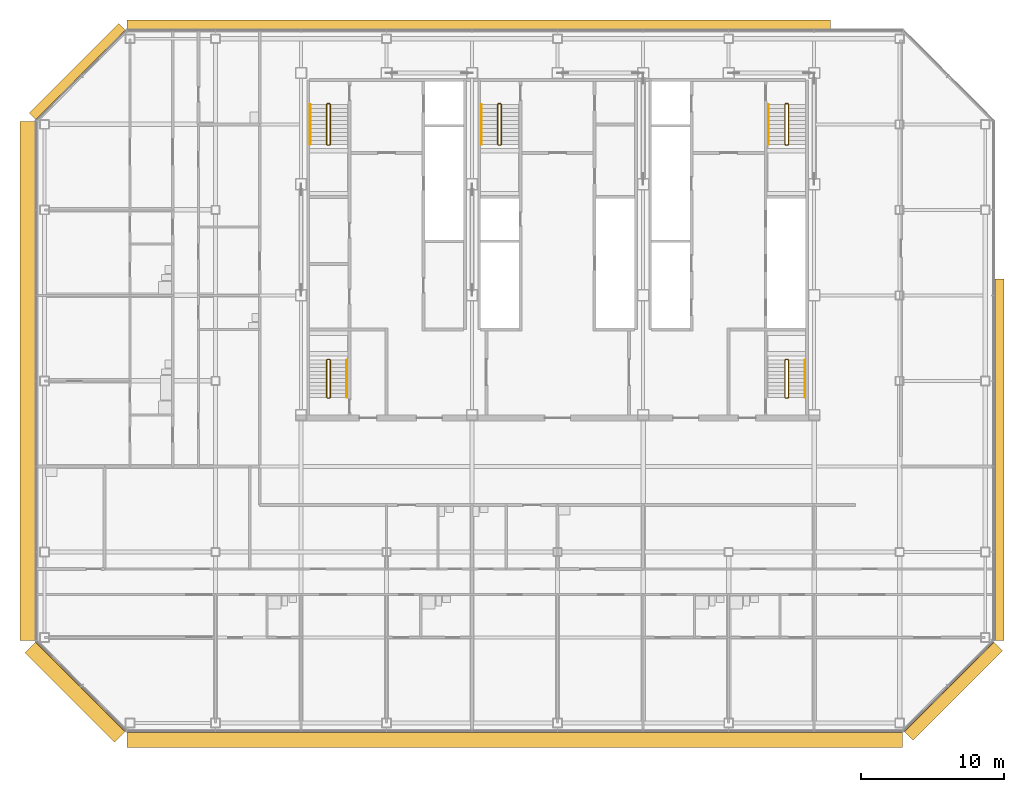
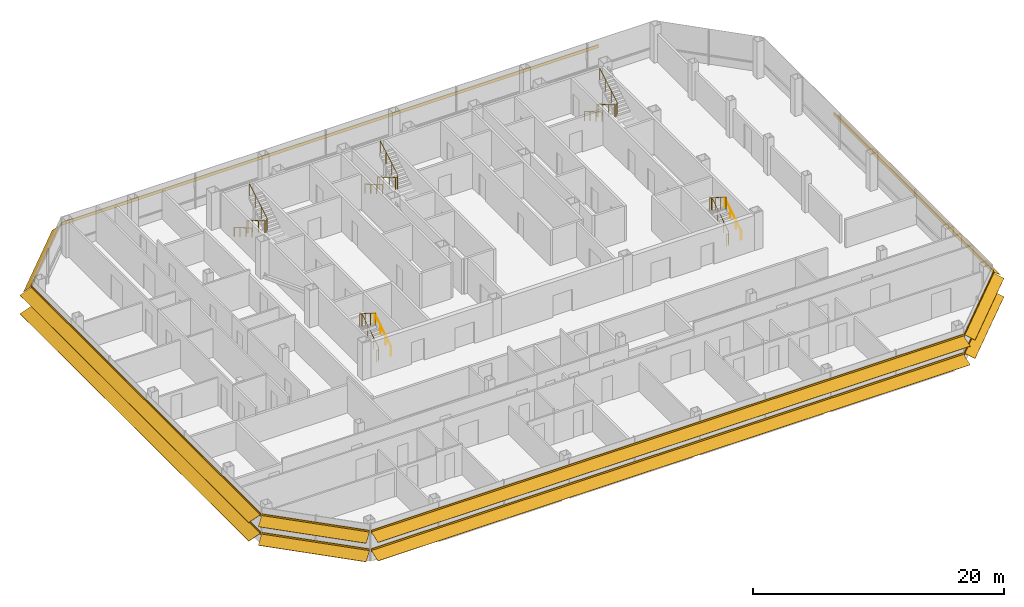
# One storey, part 26 of 27: 10 railings, 7 shading devices.
"""IFC4 building model written with IfcOpenShell, lengths in metres."""

import ifcopenshell
import ifcopenshell.guid

model = None  # the IFC model being written
_history = None  # IfcOwnerHistory: only IFC2X3 demands one
_inside = {}  # id of a spatial element -> (the spatial element, [elements in it])
_under = {}  # id of a project, library or spatial element -> (it, [spatial elements below it])
_declared = {}  # id of a project -> (the project, [libraries it declares])
_typed = {}  # id of a type object -> (the type object, [elements of that type])
_made_of = {}  # id of a material, layer set ... -> (it, [elements and type objects made of it])


def new_model(schema):
    """Start an empty IFC model of exactly this schema.

    Asked for "IFC4X3", IfcOpenShell would pick the latest addendum, in which some entities
    have other attributes; the version numbers below select the first issue.
    IFC2X3 requires an IfcOwnerHistory on every rooted entity: one is made here for all.
    """
    global model, _history
    if schema == "IFC4X3":
        model = ifcopenshell.file(schema_version=(4, 3, 0, 0))
    else:
        model = ifcopenshell.file(schema=schema)
    _inside.clear()
    _under.clear()
    _declared.clear()
    _typed.clear()
    _made_of.clear()
    _history = None
    if model.schema == "IFC2X3":
        org = make("IfcOrganization", Name="unknown")
        user = make(
            "IfcPersonAndOrganization",
            ThePerson=make("IfcPerson", FamilyName="unknown"),
            TheOrganization=org,
        )
        app = make(
            "IfcApplication",
            ApplicationDeveloper=org,
            Version="unknown",
            ApplicationFullName="unknown",
            ApplicationIdentifier="unknown",
        )
        _history = make(
            "IfcOwnerHistory",
            OwningUser=user,
            OwningApplication=app,
            ChangeAction="ADDED",
            CreationDate=0,
        )
    return model


def make(cls, **values):
    """One entity of the class cls with the attributes given. An attribute that is None is left unset."""
    return model.create_entity(
        cls, **{name: value for name, value in values.items() if value is not None}
    )


def rooted(cls, **values):
    """An entity with a GlobalId (a new one), such as an element, a storey or a relation."""
    return make(cls, GlobalId=ifcopenshell.guid.new(), OwnerHistory=_history, **values)


def si_unit(unit_type, name, prefix=None):
    """IfcSIUnit, for example si_unit("LENGTHUNIT", "METRE", prefix="MILLI")."""
    return make("IfcSIUnit", UnitType=unit_type, Prefix=prefix, Name=name)


def assignment(units):
    """IfcUnitAssignment: the units of a project."""
    return None if units is None else make("IfcUnitAssignment", Units=units)


def point(xyz):
    """IfcCartesianPoint."""
    return None if xyz is None else make("IfcCartesianPoint", Coordinates=xyz)


def direction(xyz):
    """IfcDirection."""
    return None if xyz is None else make("IfcDirection", DirectionRatios=xyz)


def frame(location, z_axis=None, x_axis=None):
    """IfcAxis2Placement3D, a coordinate frame: its origin and axes. An axis left out is left unset."""
    return make(
        "IfcAxis2Placement3D",
        Location=point(location),
        Axis=direction(z_axis),
        RefDirection=direction(x_axis),
    )


def frame_2d(location, x_axis=None):
    """IfcAxis2Placement2D, a coordinate frame in the plane: its origin and x axis."""
    return make(
        "IfcAxis2Placement2D", Location=point(location), RefDirection=direction(x_axis)
    )


def origin():
    """The frame at (0, 0, 0) with its axes left unset."""
    return frame((0.0, 0.0, 0.0))


def origin_2d():
    """The frame at (0, 0) in the plane with its x axis left unset."""
    return frame_2d((0.0, 0.0))


def place(relative_to, where):
    """IfcLocalPlacement: puts the frame where relative to a parent placement (None: the world)."""
    return make(
        "IfcLocalPlacement", PlacementRelTo=relative_to, RelativePlacement=where
    )


def context(
    kind, dimensions, precision=None, world=None, true_north=None, identifier=None
):
    """IfcGeometricRepresentationContext, for example the 3D "Model" context."""
    return make(
        "IfcGeometricRepresentationContext",
        ContextIdentifier=identifier,
        ContextType=kind,
        CoordinateSpaceDimension=dimensions,
        Precision=precision,
        WorldCoordinateSystem=world,
        TrueNorth=true_north,
    )


def subcontext(parent, identifier, kind, view, scale=None):
    """IfcGeometricRepresentationSubContext, for example "Body" below "Model"."""
    return make(
        "IfcGeometricRepresentationSubContext",
        ContextIdentifier=identifier,
        ContextType=kind,
        ParentContext=parent,
        TargetScale=scale,
        TargetView=view,
    )


def project(units=None, contexts=None):
    """IfcProject with its units and contexts."""
    return rooted(
        "IfcProject",
        Name="project",
        RepresentationContexts=contexts,
        UnitsInContext=assignment(units),
    )


def spatial(cls, under=None, at=None, **own):
    """A site, building, storey or space (cls), placed at a placement, below another one or the project."""
    s = rooted(cls, ObjectPlacement=at, **own)
    if under is not None:
        _under.setdefault(under.id(), (under, []))[1].append(s)
    return s


def polyline(points):
    """IfcPolyline through the points."""
    return make("IfcPolyline", Points=[point(p) for p in points])


def profile(cls, at=None, kind="AREA", **sizes):
    """A parametric profile (cls). Its sizes go by their IFC names, for example OverallWidth=200.0."""
    return make(cls, ProfileType=kind, Position=at, **sizes)


def circle(**sizes):
    """IfcCircleProfileDef."""
    return profile("IfcCircleProfileDef", **sizes)


def outline(outer, holes=None, kind="AREA"):
    """IfcArbitraryClosedProfileDef: a profile drawn as a closed curve; with holes, ...WithVoids."""
    if holes is None:
        return make("IfcArbitraryClosedProfileDef", ProfileType=kind, OuterCurve=outer)
    return make(
        "IfcArbitraryProfileDefWithVoids",
        ProfileType=kind,
        OuterCurve=outer,
        InnerCurves=holes,
    )


def composite_profile(profiles, kind="AREA"):
    """IfcCompositeProfileDef: several profiles as one."""
    return make("IfcCompositeProfileDef", ProfileType=kind, Profiles=profiles)


def extrude(swept, where, along, depth):
    """IfcExtrudedAreaSolid: the profile swept, set in the frame where, extruded along a direction by depth."""
    return make(
        "IfcExtrudedAreaSolid",
        SweptArea=swept,
        Position=where,
        ExtrudedDirection=direction(along),
        Depth=depth,
    )


def shape(context_of_items, identifier, shape_type, items):
    """IfcShapeRepresentation: the items that make up one representation, for example the "Body"."""
    return make(
        "IfcShapeRepresentation",
        ContextOfItems=context_of_items,
        RepresentationIdentifier=identifier,
        RepresentationType=shape_type,
        Items=items,
    )


def material(Name=None, Category=None):
    """IfcMaterial."""
    return make("IfcMaterial", Name=Name, Category=Category)


def made_of(thing, what):
    """Note that an element or type object is made of a material, layer set ...; save() writes the relation."""
    if what is not None:
        _made_of.setdefault(what.id(), (what, []))[1].append(thing)
    return thing


def type_object(cls, material=None, **own):
    """A type object (cls), such as IfcWallType, which elements share."""
    return made_of(rooted(cls, **own), material)


def element(
    cls,
    number,
    at=None,
    inside=None,
    cuts=None,
    type_object=None,
    material=None,
    context=None,
    identifier="Body",
    shape_type=None,
    held_by="IfcProductDefinitionShape",
    body=None,
    shapes=None,
    **own,
):
    """One element of the class cls, such as IfcWall. Its Tag is "e" and its number.

    at: its placement. inside: the storey or other place that contains it. cuts: it is an
    opening in that element (IfcRelVoidsElement). A single representation is given by context,
    identifier, shape_type and body (its items); several are given by shapes. held_by: the class
    of the entity that holds the representations. save() writes the other relations.
    """
    e = rooted(cls, Tag="e%d" % number, ObjectPlacement=at, **own)
    if body is not None:
        shapes = [shape(context, identifier, shape_type, body)]
    if shapes is not None:
        e.Representation = make(held_by, Representations=shapes)
    if inside is not None:
        _inside.setdefault(inside.id(), (inside, []))[1].append(e)
    if cuts is not None:
        rooted(
            "IfcRelVoidsElement", RelatingBuildingElement=cuts, RelatedOpeningElement=e
        )
    if type_object is not None:
        _typed.setdefault(type_object.id(), (type_object, []))[1].append(e)
    return made_of(e, material)


def aggregate(whole, parts):
    """IfcRelAggregates: a whole, such as a stair, and the parts it consists of."""
    return rooted("IfcRelAggregates", RelatingObject=whole, RelatedObjects=parts)


def save(model, path):
    """Write the relations noted so far, then the file.

    IfcRelAggregates (storeys below a building ...), IfcRelContainedInSpatialStructure (elements
    in a storey), IfcRelDefinesByType, IfcRelAssociatesMaterial and IfcRelDeclares: one each for
    every whole, place, type object, material and project.
    """
    for whole, parts in _under.values():
        aggregate(whole, parts)
    for where, things in _inside.values():
        rooted(
            "IfcRelContainedInSpatialStructure",
            RelatedElements=things,
            RelatingStructure=where,
        )
    for kind, things in _typed.values():
        rooted("IfcRelDefinesByType", RelatedObjects=things, RelatingType=kind)
    for what, things in _made_of.values():
        rooted("IfcRelAssociatesMaterial", RelatedObjects=things, RelatingMaterial=what)
    for by, libraries in _declared.values():
        rooted("IfcRelDeclares", RelatingContext=by, RelatedDefinitions=libraries)
    model.write(path)


model = new_model("IFC4")

# Units and contexts
model_context = context("Model", 3, precision=1e-05, world=origin(), true_north=direction((0.0, 1.0)))
body_context = subcontext(model_context, "Body", "Model", "MODEL_VIEW")
ifc_project = project(units=[si_unit("LENGTHUNIT", "METRE"), si_unit("AREAUNIT", "SQUARE_METRE"), si_unit("VOLUMEUNIT", "CUBIC_METRE"), si_unit("PLANEANGLEUNIT", "RADIAN"), si_unit("MASSUNIT", "GRAM", prefix="KILO")], contexts=[model_context])

# Site, building, storey
site_placement = place(None, origin())
site = spatial("IfcSite", under=ifc_project, at=site_placement, CompositionType="ELEMENT")
building_placement = place(site_placement, origin())
building = spatial("IfcBuilding", under=site, at=building_placement, Name="Sorahane Residences", CompositionType="ELEMENT")
storey_placement = place(building_placement, frame((0.0, 0.0, 202.800048828125)))
storey = spatial("IfcBuildingStorey", under=building, at=storey_placement, Name="L47", CompositionType="ELEMENT", Elevation=202.800048828125)

# Shading devices
ifc_material_1 = material(Name="Terracotta anodised aluminium", Category="masonry")
shading_device_type_1 = type_object("IfcShadingDeviceType", Name="Louvre sunshade blade E terracotta aluminium 700", PredefinedType="JALOUSIE", material=ifc_material_1)
shading_device_1_placement = place(storey_placement, frame((54.60009765625, 5.801513671875, 2.699951171875), z_axis=(0.0, 1.0, 0.0), x_axis=(-1.0, 0.0, 0.0)))
element("IfcShadingDevice", 1, at=shading_device_1_placement, inside=storey, type_object=shading_device_type_1, Name="Louvre sunshade blade bank E L47 E1", PredefinedType="JALOUSIE", context=body_context, shape_type="SweptSolid", body=[
    extrude(outline(polyline([(-0.719970703125, -0.49365234375), (-0.719970703125, -0.523681640625), (-0.080078125, -0.05859375), (-0.080078125, -0.14990234375), (-0.02001953125, -0.14990234375), (-0.02001953125, -0.014892578125), (-0.02001953125, 0.014892578125), (-0.02001953125, 0.14990234375), (-0.080078125, 0.14990234375), (-0.080078125, -0.028564453125), (-0.719970703125, -0.49365234375)])), origin(), (0.0, 0.0, 1.0), 25.3291015625),
])
ifc_material_2 = material(Name="Terracotta anodised aluminium", Category="masonry")
shading_device_type_2 = type_object("IfcShadingDeviceType", Name="Louvre sunshade blade N terracotta aluminium 700", PredefinedType="JALOUSIE", material=ifc_material_2)
shading_device_2_placement = place(storey_placement, frame((43.130615234375, 48.60009765625, 2.699951171875), z_axis=(-1.0, 0.0, 0.0), x_axis=(0.0, -1.0, 0.0)))
element("IfcShadingDevice", 2, at=shading_device_2_placement, inside=storey, type_object=shading_device_type_2, Name="Louvre sunshade blade bank N L47 N1", PredefinedType="JALOUSIE", context=body_context, shape_type="SweptSolid", body=[
    extrude(outline(polyline([(-0.719970703125, -0.660888671875), (-0.719970703125, -0.69091796875), (-0.080078125, -0.072998046875), (-0.080078125, -0.14990234375), (-0.02001953125, -0.14990234375), (-0.02001953125, -0.014892578125), (-0.02001953125, 0.014892578125), (-0.02001953125, 0.14990234375), (-0.080078125, 0.14990234375), (-0.080078125, -0.04296875), (-0.719970703125, -0.660888671875)])), origin(), (0.0, 0.0, 1.0), 49.3291015625),
])
ifc_material_3 = material(Name="Terracotta anodised aluminium", Category="masonry")
shading_device_type_3 = type_object("IfcShadingDeviceType", Name="Louvre sunshade blade NW terracotta aluminium 700", PredefinedType="JALOUSIE", material=ifc_material_3)
shading_device_3_placement = place(storey_placement, frame((-6.283935546875, 48.564697265625, 2.699951171875), z_axis=(-0.707106781187, -0.707106781187, 0.0), x_axis=(0.707106781187, -0.707106781187, 0.0)))
element("IfcShadingDevice", 3, at=shading_device_3_placement, inside=storey, type_object=shading_device_type_3, Name="Louvre sunshade blade bank NW L47 NW1", PredefinedType="JALOUSIE", context=body_context, shape_type="SweptSolid", body=[
    extrude(outline(polyline([(-0.719970703125, -0.660888671875), (-0.719970703125, -0.69091796875), (-0.080078125, -0.072998046875), (-0.080078125, -0.14990234375), (-0.02001953125, -0.14990234375), (-0.02001953125, -0.014892578125), (-0.02001953125, 0.014892578125), (-0.02001953125, 0.14990234375), (-0.080078125, 0.14990234375), (-0.080078125, -0.04296875), (-0.719970703125, -0.660888671875)])), origin(), (0.0, 0.0, 1.0), 8.88232421875),
])
ifc_material_4 = material(Name="Terracotta anodised aluminium", Category="masonry")
shading_device_type_4 = type_object("IfcShadingDeviceType", Name="Louvre sunshade blade S terracotta aluminium 1100", PredefinedType="JALOUSIE", material=ifc_material_4)
shading_device_4_placement = place(storey_placement, frame((-6.198486328125, -0.60009765625, 0.89990234375), z_axis=(1.0, 0.0, 0.0), x_axis=(0.0, 1.0, 0.0)))
element("IfcShadingDevice", 4, at=shading_device_4_placement, inside=storey, type_object=shading_device_type_4, Name="Louvre sunshade blade bank S L47 S1", PredefinedType="JALOUSIE", context=body_context, shape_type="SweptSolid", body=[
    extrude(composite_profile([outline(polyline([(-1.1201171875, -0.385498046875), (-1.1201171875, -0.415283203125), (-0.080078125, -0.036865234375), (-0.080078125, -0.14990234375), (-0.02001953125, -0.14990234375), (-0.02001953125, -0.014892578125), (-0.02001953125, 0.014892578125), (-0.02001953125, 0.14990234375), (-0.080078125, 0.14990234375), (-0.080078125, -0.0068359375), (-1.1201171875, -0.385498046875)])), outline(polyline([(-1.1201171875, 1.41455078125), (-1.1201171875, 1.384521484375), (-0.080078125, 1.76318359375), (-0.080078125, 1.64990234375), (-0.02001953125, 1.64990234375), (-0.02001953125, 1.784912109375), (-0.02001953125, 1.81494140625), (-0.02001953125, 1.949951171875), (-0.080078125, 1.949951171875), (-0.080078125, 1.793212890625), (-1.1201171875, 1.41455078125)]))]), origin(), (0.0, 0.0, 1.0), 54.39697265625),
])
ifc_material_5 = material(Name="Terracotta anodised aluminium", Category="masonry")
shading_device_type_5 = type_object("IfcShadingDeviceType", Name="Louvre sunshade blade SE terracotta aluminium 900", PredefinedType="JALOUSIE", material=ifc_material_5)
shading_device_5_placement = place(storey_placement, frame((48.283935546875, -0.564697265625, 0.89990234375), z_axis=(0.707106781187, 0.707106781187, 0.0), x_axis=(-0.707106781187, 0.707106781187, 0.0)))
element("IfcShadingDevice", 5, at=shading_device_5_placement, inside=storey, type_object=shading_device_type_5, Name="Louvre sunshade blade bank SE L47 SE1", PredefinedType="JALOUSIE", context=body_context, shape_type="SweptSolid", body=[
    extrude(composite_profile([outline(polyline([(-0.919921875, -0.3486328125), (-0.919921875, -0.378662109375), (-0.080078125, -0.039306640625), (-0.080078125, -0.14990234375), (-0.02001953125, -0.14990234375), (-0.02001953125, -0.014892578125), (-0.02001953125, 0.014892578125), (-0.02001953125, 0.14990234375), (-0.080078125, 0.14990234375), (-0.080078125, -0.00927734375), (-0.919921875, -0.3486328125)])), outline(polyline([(-0.919921875, 1.451416015625), (-0.919921875, 1.42138671875), (-0.080078125, 1.7607421875), (-0.080078125, 1.64990234375), (-0.02001953125, 1.64990234375), (-0.02001953125, 1.784912109375), (-0.02001953125, 1.81494140625), (-0.02001953125, 1.949951171875), (-0.080078125, 1.949951171875), (-0.080078125, 1.790771484375), (-0.919921875, 1.451416015625)]))]), origin(), (0.0, 0.0, 1.0), 8.88232421875),
])
ifc_material_6 = material(Name="Terracotta anodised aluminium", Category="masonry")
shading_device_type_6 = type_object("IfcShadingDeviceType", Name="Louvre sunshade blade SW terracotta aluminium 1100", PredefinedType="JALOUSIE", material=ifc_material_6)
shading_device_6_placement = place(storey_placement, frame((-12.564697265625, 5.716064453125, 0.89990234375), z_axis=(0.707106781187, -0.707106781187, 0.0), x_axis=(0.707106781187, 0.707106781187, 0.0)))
element("IfcShadingDevice", 6, at=shading_device_6_placement, inside=storey, type_object=shading_device_type_6, Name="Louvre sunshade blade bank SW L47 SW1", PredefinedType="JALOUSIE", context=body_context, shape_type="SweptSolid", body=[
    extrude(composite_profile([outline(polyline([(-1.1201171875, -0.385498046875), (-1.1201171875, -0.415283203125), (-0.080078125, -0.036865234375), (-0.080078125, -0.14990234375), (-0.02001953125, -0.14990234375), (-0.02001953125, -0.014892578125), (-0.02001953125, 0.014892578125), (-0.02001953125, 0.14990234375), (-0.080078125, 0.14990234375), (-0.080078125, -0.0068359375), (-1.1201171875, -0.385498046875)])), outline(polyline([(-1.1201171875, 1.41455078125), (-1.1201171875, 1.384521484375), (-0.080078125, 1.76318359375), (-0.080078125, 1.64990234375), (-0.02001953125, 1.64990234375), (-0.02001953125, 1.784912109375), (-0.02001953125, 1.81494140625), (-0.02001953125, 1.949951171875), (-0.080078125, 1.949951171875), (-0.080078125, 1.793212890625), (-1.1201171875, 1.41455078125)]))]), origin(), (0.0, 0.0, 1.0), 8.88232421875),
])
ifc_material_7 = material(Name="Terracotta anodised aluminium", Category="masonry")
shading_device_type_7 = type_object("IfcShadingDeviceType", Name="Louvre sunshade blade W terracotta aluminium 1100", PredefinedType="JALOUSIE", material=ifc_material_7)
shading_device_7_placement = place(storey_placement, frame((-12.60009765625, 42.198486328125, 0.89990234375), z_axis=(0.0, -1.0, 0.0), x_axis=(1.0, 0.0, 0.0)))
element("IfcShadingDevice", 7, at=shading_device_7_placement, inside=storey, type_object=shading_device_type_7, Name="Louvre sunshade blade bank W L47 W1", PredefinedType="JALOUSIE", context=body_context, shape_type="SweptSolid", body=[
    extrude(composite_profile([outline(polyline([(-1.1201171875, -0.385498046875), (-1.1201171875, -0.415283203125), (-0.080078125, -0.036865234375), (-0.080078125, -0.14990234375), (-0.02001953125, -0.14990234375), (-0.02001953125, -0.014892578125), (-0.02001953125, 0.014892578125), (-0.02001953125, 0.14990234375), (-0.080078125, 0.14990234375), (-0.080078125, -0.0068359375), (-1.1201171875, -0.385498046875)])), outline(polyline([(-1.1201171875, 1.41455078125), (-1.1201171875, 1.384521484375), (-0.080078125, 1.76318359375), (-0.080078125, 1.64990234375), (-0.02001953125, 1.64990234375), (-0.02001953125, 1.784912109375), (-0.02001953125, 1.81494140625), (-0.02001953125, 1.949951171875), (-0.080078125, 1.949951171875), (-0.080078125, 1.793212890625), (-1.1201171875, 1.41455078125)]))]), origin(), (0.0, 0.0, 1.0), 36.39697265625),
])

# Railings
ifc_material_8 = material(Name="Steel Q355B", Category="steel")
railing_type_1 = type_object("IfcRailingType", Name="Stair guard 1200 Steel Q355B", PredefinedType="GUARDRAIL", material=ifc_material_8)
railing_1_placement = place(storey_placement, frame((8.0, 43.449951171875, 0.0)))
element("IfcRailing", 8, at=railing_1_placement, inside=storey, type_object=railing_type_1, Name="L47 S1 stair guard 1", PredefinedType="GUARDRAIL", context=body_context, shape_type="SweptSolid", body=[
    extrude(circle(Radius=0.02392578125, at=origin_2d()), frame((0.0, 0.0, 1.17578125), z_axis=(-1.0, 0.0, 0.0), x_axis=(0.0, -1.0, 0.0)), (0.0, 0.0, 1.0), 0.14990234375),
    extrude(circle(Radius=0.02392578125, at=origin_2d()), frame((-0.14990234375, 0.0, 1.17578125), z_axis=(-0.280808744504, -0.280808744504, 0.917765164963), x_axis=(0.707106781187, -0.707106781187, 0.0)), (0.0, 0.0, 1.0), 0.17822265625),
    extrude(circle(Radius=0.02392578125, at=origin_2d()), frame((-0.199951171875, -0.050048828125, 1.33935546875), z_axis=(0.0, -0.863341702679, 0.504619762213), x_axis=(1.0, 0.0, 0.0)), (0.0, 0.0, 1.0), 3.242919921875),
    extrude(circle(Radius=0.02392578125, at=origin_2d()), frame((-0.199951171875, -2.849853515625, 2.97607421875), z_axis=(0.707106781187, -0.707106781187, 0.0), x_axis=(0.707106781187, 0.707106781187, 0.0)), (0.0, 0.0, 1.0), 0.07080078125),
    extrude(circle(Radius=0.02392578125, at=origin_2d()), frame((-0.14990234375, -2.89990234375, 2.97607421875), z_axis=(1.0, 0.0, 0.0), x_axis=(0.0, 1.0, 0.0)), (0.0, 0.0, 1.0), 0.14990234375),
    extrude(circle(Radius=0.02392578125, at=origin_2d()), frame((0.0, -2.89990234375, 2.97607421875), z_axis=(0.280808744504, 0.280808744504, 0.917765164963), x_axis=(-0.707106781187, 0.707106781187, 0.0)), (0.0, 0.0, 1.0), 0.17822265625),
    extrude(circle(Radius=0.02392578125, at=origin_2d()), frame((0.050048828125, -2.849853515625, 3.1396484375), z_axis=(0.0, 0.863374499697, 0.504563646405), x_axis=(-1.0, 0.0, 0.0)), (0.0, 0.0, 1.0), 3.242919921875),
    extrude(circle(Radius=0.02099609375, at=origin_2d()), origin(), (0.0, 0.0, 1.0), 1.15185546875),
    extrude(circle(Radius=0.02099609375, at=origin_2d()), frame((-0.14990234375, 0.0, 0.0)), (0.0, 0.0, 1.0), 1.15185546875),
    extrude(circle(Radius=0.02099609375, at=origin_2d()), frame((-0.199951171875, -0.050048828125, 0.16357421875)), (0.0, 0.0, 1.0), 1.15185546875),
    extrude(circle(Radius=0.02099609375, at=origin_2d()), frame((-0.199951171875, -0.9833984375, 0.708984375)), (0.0, 0.0, 1.0), 1.15185546875),
    extrude(circle(Radius=0.02099609375, at=origin_2d()), frame((-0.199951171875, -1.91650390625, 1.254638671875)), (0.0, 0.0, 1.0), 1.15185546875),
    extrude(circle(Radius=0.02099609375, at=origin_2d()), frame((-0.199951171875, -2.849853515625, 1.800048828125)), (0.0, 0.0, 1.0), 1.15185546875),
    extrude(circle(Radius=0.02099609375, at=origin_2d()), frame((-0.14990234375, -2.89990234375, 1.800048828125)), (0.0, 0.0, 1.0), 1.15185546875),
    extrude(circle(Radius=0.02099609375, at=origin_2d()), frame((0.0, -2.89990234375, 1.800048828125)), (0.0, 0.0, 1.0), 1.15185546875),
    extrude(circle(Radius=0.02099609375, at=origin_2d()), frame((0.050048828125, -2.849853515625, 1.963623046875)), (0.0, 0.0, 1.0), 1.15185546875),
    extrude(circle(Radius=0.02099609375, at=origin_2d()), frame((0.050048828125, -1.91650390625, 2.509033203125)), (0.0, 0.0, 1.0), 1.15185546875),
    extrude(circle(Radius=0.02099609375, at=origin_2d()), frame((0.050048828125, -0.9833984375, 3.054443359375)), (0.0, 0.0, 1.0), 1.15185546875),
    extrude(circle(Radius=0.02099609375, at=origin_2d()), frame((0.050048828125, -0.050048828125, 3.599853515625)), (0.0, 0.0, 1.0), 1.15185546875),
])
railing_2_placement = place(storey_placement, frame((40.14990234375, 43.449951171875, 0.0)))
element("IfcRailing", 9, at=railing_2_placement, inside=storey, type_object=railing_type_1, Name="L47 S2 stair guard 1", PredefinedType="GUARDRAIL", context=body_context, shape_type="SweptSolid", body=[
    extrude(circle(Radius=0.02392578125, at=origin_2d()), frame((0.0, 0.0, 1.17578125), z_axis=(-1.0, 0.0, 0.0), x_axis=(0.0, -1.0, 0.0)), (0.0, 0.0, 1.0), 0.14990234375),
    extrude(circle(Radius=0.02392578125, at=origin_2d()), frame((-0.14990234375, 0.0, 1.17578125), z_axis=(-0.280808744504, -0.280808744504, 0.917765164963), x_axis=(0.707106781187, -0.707106781187, 0.0)), (0.0, 0.0, 1.0), 0.17822265625),
    extrude(circle(Radius=0.02392578125, at=origin_2d()), frame((-0.199951171875, -0.050048828125, 1.33935546875), z_axis=(0.0, -0.863341702679, 0.504619762213), x_axis=(1.0, 0.0, 0.0)), (0.0, 0.0, 1.0), 3.242919921875),
    extrude(circle(Radius=0.02392578125, at=origin_2d()), frame((-0.199951171875, -2.849853515625, 2.97607421875), z_axis=(0.707106781187, -0.707106781187, 0.0), x_axis=(0.707106781187, 0.707106781187, 0.0)), (0.0, 0.0, 1.0), 0.07080078125),
    extrude(circle(Radius=0.02392578125, at=origin_2d()), frame((-0.14990234375, -2.89990234375, 2.97607421875), z_axis=(1.0, 0.0, 0.0), x_axis=(0.0, 1.0, 0.0)), (0.0, 0.0, 1.0), 0.14990234375),
    extrude(circle(Radius=0.02392578125, at=origin_2d()), frame((0.0, -2.89990234375, 2.97607421875), z_axis=(0.280808744504, 0.280808744504, 0.917765164963), x_axis=(-0.707106781187, 0.707106781187, 0.0)), (0.0, 0.0, 1.0), 0.17822265625),
    extrude(circle(Radius=0.02392578125, at=origin_2d()), frame((0.050048828125, -2.849853515625, 3.1396484375), z_axis=(0.0, 0.863374499697, 0.504563646405), x_axis=(-1.0, 0.0, 0.0)), (0.0, 0.0, 1.0), 3.242919921875),
    extrude(circle(Radius=0.02099609375, at=origin_2d()), origin(), (0.0, 0.0, 1.0), 1.15185546875),
    extrude(circle(Radius=0.02099609375, at=origin_2d()), frame((-0.14990234375, 0.0, 0.0)), (0.0, 0.0, 1.0), 1.15185546875),
    extrude(circle(Radius=0.02099609375, at=origin_2d()), frame((-0.199951171875, -0.050048828125, 0.16357421875)), (0.0, 0.0, 1.0), 1.15185546875),
    extrude(circle(Radius=0.02099609375, at=origin_2d()), frame((-0.199951171875, -0.9833984375, 0.708984375)), (0.0, 0.0, 1.0), 1.15185546875),
    extrude(circle(Radius=0.02099609375, at=origin_2d()), frame((-0.199951171875, -1.91650390625, 1.254638671875)), (0.0, 0.0, 1.0), 1.15185546875),
    extrude(circle(Radius=0.02099609375, at=origin_2d()), frame((-0.199951171875, -2.849853515625, 1.800048828125)), (0.0, 0.0, 1.0), 1.15185546875),
    extrude(circle(Radius=0.02099609375, at=origin_2d()), frame((-0.14990234375, -2.89990234375, 1.800048828125)), (0.0, 0.0, 1.0), 1.15185546875),
    extrude(circle(Radius=0.02099609375, at=origin_2d()), frame((0.0, -2.89990234375, 1.800048828125)), (0.0, 0.0, 1.0), 1.15185546875),
    extrude(circle(Radius=0.02099609375, at=origin_2d()), frame((0.050048828125, -2.849853515625, 1.963623046875)), (0.0, 0.0, 1.0), 1.15185546875),
    extrude(circle(Radius=0.02099609375, at=origin_2d()), frame((0.050048828125, -1.91650390625, 2.509033203125)), (0.0, 0.0, 1.0), 1.15185546875),
    extrude(circle(Radius=0.02099609375, at=origin_2d()), frame((0.050048828125, -0.9833984375, 3.054443359375)), (0.0, 0.0, 1.0), 1.15185546875),
    extrude(circle(Radius=0.02099609375, at=origin_2d()), frame((0.050048828125, -0.050048828125, 3.599853515625)), (0.0, 0.0, 1.0), 1.15185546875),
])
railing_3_placement = place(storey_placement, frame((20.0, 43.449951171875, 0.0)))
element("IfcRailing", 10, at=railing_3_placement, inside=storey, type_object=railing_type_1, Name="L47 S3 stair guard 1", PredefinedType="GUARDRAIL", context=body_context, shape_type="SweptSolid", body=[
    extrude(circle(Radius=0.02392578125, at=origin_2d()), frame((0.0, 0.0, 1.17578125), z_axis=(-1.0, 0.0, 0.0), x_axis=(0.0, -1.0, 0.0)), (0.0, 0.0, 1.0), 0.14990234375),
    extrude(circle(Radius=0.02392578125, at=origin_2d()), frame((-0.14990234375, 0.0, 1.17578125), z_axis=(-0.280808744504, -0.280808744504, 0.917765164963), x_axis=(0.707106781187, -0.707106781187, 0.0)), (0.0, 0.0, 1.0), 0.17822265625),
    extrude(circle(Radius=0.02392578125, at=origin_2d()), frame((-0.199951171875, -0.050048828125, 1.33935546875), z_axis=(0.0, -0.863341702679, 0.504619762213), x_axis=(1.0, 0.0, 0.0)), (0.0, 0.0, 1.0), 3.242919921875),
    extrude(circle(Radius=0.02392578125, at=origin_2d()), frame((-0.199951171875, -2.849853515625, 2.97607421875), z_axis=(0.707106781187, -0.707106781187, 0.0), x_axis=(0.707106781187, 0.707106781187, 0.0)), (0.0, 0.0, 1.0), 0.07080078125),
    extrude(circle(Radius=0.02392578125, at=origin_2d()), frame((-0.14990234375, -2.89990234375, 2.97607421875), z_axis=(1.0, 0.0, 0.0), x_axis=(0.0, 1.0, 0.0)), (0.0, 0.0, 1.0), 0.14990234375),
    extrude(circle(Radius=0.02392578125, at=origin_2d()), frame((0.0, -2.89990234375, 2.97607421875), z_axis=(0.280808744504, 0.280808744504, 0.917765164963), x_axis=(-0.707106781187, 0.707106781187, 0.0)), (0.0, 0.0, 1.0), 0.17822265625),
    extrude(circle(Radius=0.02392578125, at=origin_2d()), frame((0.050048828125, -2.849853515625, 3.1396484375), z_axis=(0.0, 0.863374499697, 0.504563646405), x_axis=(-1.0, 0.0, 0.0)), (0.0, 0.0, 1.0), 3.242919921875),
    extrude(circle(Radius=0.02099609375, at=origin_2d()), origin(), (0.0, 0.0, 1.0), 1.15185546875),
    extrude(circle(Radius=0.02099609375, at=origin_2d()), frame((-0.14990234375, 0.0, 0.0)), (0.0, 0.0, 1.0), 1.15185546875),
    extrude(circle(Radius=0.02099609375, at=origin_2d()), frame((-0.199951171875, -0.050048828125, 0.16357421875)), (0.0, 0.0, 1.0), 1.15185546875),
    extrude(circle(Radius=0.02099609375, at=origin_2d()), frame((-0.199951171875, -0.9833984375, 0.708984375)), (0.0, 0.0, 1.0), 1.15185546875),
    extrude(circle(Radius=0.02099609375, at=origin_2d()), frame((-0.199951171875, -1.91650390625, 1.254638671875)), (0.0, 0.0, 1.0), 1.15185546875),
    extrude(circle(Radius=0.02099609375, at=origin_2d()), frame((-0.199951171875, -2.849853515625, 1.800048828125)), (0.0, 0.0, 1.0), 1.15185546875),
    extrude(circle(Radius=0.02099609375, at=origin_2d()), frame((-0.14990234375, -2.89990234375, 1.800048828125)), (0.0, 0.0, 1.0), 1.15185546875),
    extrude(circle(Radius=0.02099609375, at=origin_2d()), frame((0.0, -2.89990234375, 1.800048828125)), (0.0, 0.0, 1.0), 1.15185546875),
    extrude(circle(Radius=0.02099609375, at=origin_2d()), frame((0.050048828125, -2.849853515625, 1.963623046875)), (0.0, 0.0, 1.0), 1.15185546875),
    extrude(circle(Radius=0.02099609375, at=origin_2d()), frame((0.050048828125, -1.91650390625, 2.509033203125)), (0.0, 0.0, 1.0), 1.15185546875),
    extrude(circle(Radius=0.02099609375, at=origin_2d()), frame((0.050048828125, -0.9833984375, 3.054443359375)), (0.0, 0.0, 1.0), 1.15185546875),
    extrude(circle(Radius=0.02099609375, at=origin_2d()), frame((0.050048828125, -0.050048828125, 3.599853515625)), (0.0, 0.0, 1.0), 1.15185546875),
])
railing_4_placement = place(storey_placement, frame((7.85009765625, 22.800048828125, 0.0)))
element("IfcRailing", 11, at=railing_4_placement, inside=storey, type_object=railing_type_1, Name="L47 S4 stair guard 1", PredefinedType="GUARDRAIL", context=body_context, shape_type="SweptSolid", body=[
    extrude(circle(Radius=0.02392578125, at=origin_2d()), frame((0.0, 0.0, 1.17578125), z_axis=(1.0, 0.0, 0.0), x_axis=(0.0, 1.0, 0.0)), (0.0, 0.0, 1.0), 0.14990234375),
    extrude(circle(Radius=0.02392578125, at=origin_2d()), frame((0.14990234375, 0.0, 1.17578125), z_axis=(0.280808744504, 0.280808744504, 0.917765164963), x_axis=(-0.707106781187, 0.707106781187, 0.0)), (0.0, 0.0, 1.0), 0.17822265625),
    extrude(circle(Radius=0.02392578125, at=origin_2d()), frame((0.199951171875, 0.050048828125, 1.33935546875), z_axis=(0.0, 0.846301844409, 0.532703658848), x_axis=(-1.0, 0.0, 0.0)), (0.0, 0.0, 1.0), 3.072021484375),
    extrude(circle(Radius=0.02392578125, at=origin_2d()), frame((0.199951171875, 2.64990234375, 2.97607421875), z_axis=(-0.707106781187, 0.707106781187, 0.0), x_axis=(-0.707106781187, -0.707106781187, 0.0)), (0.0, 0.0, 1.0), 0.07080078125),
    extrude(circle(Radius=0.02392578125, at=origin_2d()), frame((0.14990234375, 2.699951171875, 2.97607421875), z_axis=(-1.0, 0.0, 0.0), x_axis=(0.0, -1.0, 0.0)), (0.0, 0.0, 1.0), 0.14990234375),
    extrude(circle(Radius=0.02392578125, at=origin_2d()), frame((0.0, 2.699951171875, 2.97607421875), z_axis=(-0.280808744504, -0.280808744504, 0.917765164963), x_axis=(0.707106781187, -0.707106781187, 0.0)), (0.0, 0.0, 1.0), 0.17822265625),
    extrude(circle(Radius=0.02392578125, at=origin_2d()), frame((-0.050048828125, 2.64990234375, 3.1396484375), z_axis=(0.0, -0.846337672412, 0.532646734952), x_axis=(1.0, 0.0, 0.0)), (0.0, 0.0, 1.0), 3.07177734375),
    extrude(circle(Radius=0.02099609375, at=origin_2d()), origin(), (0.0, 0.0, 1.0), 1.15185546875),
    extrude(circle(Radius=0.02099609375, at=origin_2d()), frame((0.14990234375, 0.0, 0.0)), (0.0, 0.0, 1.0), 1.15185546875),
    extrude(circle(Radius=0.02099609375, at=origin_2d()), frame((0.199951171875, 0.050048828125, 0.16357421875)), (0.0, 0.0, 1.0), 1.15185546875),
    extrude(circle(Radius=0.02099609375, at=origin_2d()), frame((0.199951171875, 0.916748046875, 0.708984375)), (0.0, 0.0, 1.0), 1.15185546875),
    extrude(circle(Radius=0.02099609375, at=origin_2d()), frame((0.199951171875, 1.783203125, 1.254638671875)), (0.0, 0.0, 1.0), 1.15185546875),
    extrude(circle(Radius=0.02099609375, at=origin_2d()), frame((0.199951171875, 2.64990234375, 1.800048828125)), (0.0, 0.0, 1.0), 1.15185546875),
    extrude(circle(Radius=0.02099609375, at=origin_2d()), frame((0.14990234375, 2.699951171875, 1.800048828125)), (0.0, 0.0, 1.0), 1.15185546875),
    extrude(circle(Radius=0.02099609375, at=origin_2d()), frame((0.0, 2.699951171875, 1.800048828125)), (0.0, 0.0, 1.0), 1.15185546875),
    extrude(circle(Radius=0.02099609375, at=origin_2d()), frame((-0.050048828125, 2.64990234375, 1.963623046875)), (0.0, 0.0, 1.0), 1.15185546875),
    extrude(circle(Radius=0.02099609375, at=origin_2d()), frame((-0.050048828125, 1.783203125, 2.509033203125)), (0.0, 0.0, 1.0), 1.15185546875),
    extrude(circle(Radius=0.02099609375, at=origin_2d()), frame((-0.050048828125, 0.916748046875, 3.054443359375)), (0.0, 0.0, 1.0), 1.15185546875),
    extrude(circle(Radius=0.02099609375, at=origin_2d()), frame((-0.050048828125, 0.050048828125, 3.599853515625)), (0.0, 0.0, 1.0), 1.15185546875),
])
railing_5_placement = place(storey_placement, frame((40.0, 22.800048828125, 0.0)))
element("IfcRailing", 12, at=railing_5_placement, inside=storey, type_object=railing_type_1, Name="L47 S5 stair guard 1", PredefinedType="GUARDRAIL", context=body_context, shape_type="SweptSolid", body=[
    extrude(circle(Radius=0.02392578125, at=origin_2d()), frame((0.0, 0.0, 1.17578125), z_axis=(1.0, 0.0, 0.0), x_axis=(0.0, 1.0, 0.0)), (0.0, 0.0, 1.0), 0.14990234375),
    extrude(circle(Radius=0.02392578125, at=origin_2d()), frame((0.14990234375, 0.0, 1.17578125), z_axis=(0.280808744504, 0.280808744504, 0.917765164963), x_axis=(-0.707106781187, 0.707106781187, 0.0)), (0.0, 0.0, 1.0), 0.17822265625),
    extrude(circle(Radius=0.02392578125, at=origin_2d()), frame((0.199951171875, 0.050048828125, 1.33935546875), z_axis=(0.0, 0.846301844409, 0.532703658848), x_axis=(-1.0, 0.0, 0.0)), (0.0, 0.0, 1.0), 3.072021484375),
    extrude(circle(Radius=0.02392578125, at=origin_2d()), frame((0.199951171875, 2.64990234375, 2.97607421875), z_axis=(-0.707106781187, 0.707106781187, 0.0), x_axis=(-0.707106781187, -0.707106781187, 0.0)), (0.0, 0.0, 1.0), 0.07080078125),
    extrude(circle(Radius=0.02392578125, at=origin_2d()), frame((0.14990234375, 2.699951171875, 2.97607421875), z_axis=(-1.0, 0.0, 0.0), x_axis=(0.0, -1.0, 0.0)), (0.0, 0.0, 1.0), 0.14990234375),
    extrude(circle(Radius=0.02392578125, at=origin_2d()), frame((0.0, 2.699951171875, 2.97607421875), z_axis=(-0.280808744504, -0.280808744504, 0.917765164963), x_axis=(0.707106781187, -0.707106781187, 0.0)), (0.0, 0.0, 1.0), 0.17822265625),
    extrude(circle(Radius=0.02392578125, at=origin_2d()), frame((-0.050048828125, 2.64990234375, 3.1396484375), z_axis=(0.0, -0.846337672412, 0.532646734952), x_axis=(1.0, 0.0, 0.0)), (0.0, 0.0, 1.0), 3.07177734375),
    extrude(circle(Radius=0.02099609375, at=origin_2d()), origin(), (0.0, 0.0, 1.0), 1.15185546875),
    extrude(circle(Radius=0.02099609375, at=origin_2d()), frame((0.14990234375, 0.0, 0.0)), (0.0, 0.0, 1.0), 1.15185546875),
    extrude(circle(Radius=0.02099609375, at=origin_2d()), frame((0.199951171875, 0.050048828125, 0.16357421875)), (0.0, 0.0, 1.0), 1.15185546875),
    extrude(circle(Radius=0.02099609375, at=origin_2d()), frame((0.199951171875, 0.916748046875, 0.708984375)), (0.0, 0.0, 1.0), 1.15185546875),
    extrude(circle(Radius=0.02099609375, at=origin_2d()), frame((0.199951171875, 1.783203125, 1.254638671875)), (0.0, 0.0, 1.0), 1.15185546875),
    extrude(circle(Radius=0.02099609375, at=origin_2d()), frame((0.199951171875, 2.64990234375, 1.800048828125)), (0.0, 0.0, 1.0), 1.15185546875),
    extrude(circle(Radius=0.02099609375, at=origin_2d()), frame((0.14990234375, 2.699951171875, 1.800048828125)), (0.0, 0.0, 1.0), 1.15185546875),
    extrude(circle(Radius=0.02099609375, at=origin_2d()), frame((0.0, 2.699951171875, 1.800048828125)), (0.0, 0.0, 1.0), 1.15185546875),
    extrude(circle(Radius=0.02099609375, at=origin_2d()), frame((-0.050048828125, 2.64990234375, 1.963623046875)), (0.0, 0.0, 1.0), 1.15185546875),
    extrude(circle(Radius=0.02099609375, at=origin_2d()), frame((-0.050048828125, 1.783203125, 2.509033203125)), (0.0, 0.0, 1.0), 1.15185546875),
    extrude(circle(Radius=0.02099609375, at=origin_2d()), frame((-0.050048828125, 0.916748046875, 3.054443359375)), (0.0, 0.0, 1.0), 1.15185546875),
    extrude(circle(Radius=0.02099609375, at=origin_2d()), frame((-0.050048828125, 0.050048828125, 3.599853515625)), (0.0, 0.0, 1.0), 1.15185546875),
])
ifc_material_9 = material(Name="Steel Q355B", Category="steel")
railing_type_2 = type_object("IfcRailingType", Name="Stair handrail 900 Steel Q355B", PredefinedType="HANDRAIL", material=ifc_material_9)
for number, where, name in (
    (13, (6.64990234375, 43.39990234375, 0.16357421875), "L47 S1 stair handrail 1"),
    (14, (38.800048828125, 43.39990234375, 0.16357421875), "L47 S2 stair handrail 1"),
    (15, (18.64990234375, 43.39990234375, 0.16357421875), "L47 S3 stair handrail 1"),
):
    element("IfcRailing", number, at=place(storey_placement, frame(where)), inside=storey, type_object=railing_type_2, Name=name, PredefinedType="HANDRAIL", context=body_context, shape_type="SweptSolid", body=[
        extrude(circle(Radius=0.02392578125, at=origin_2d()), frame((0.0, 0.0, 0.8759765625), z_axis=(0.0, -0.863341702679, 0.504619762213), x_axis=(1.0, 0.0, 0.0)), (0.0, 0.0, 1.0), 3.242919921875),
        extrude(circle(Radius=0.02099609375, at=origin_2d()), origin(), (0.0, 0.0, 1.0), 0.851806640625),
        extrude(circle(Radius=0.02099609375, at=origin_2d()), frame((0.0, -0.933349609375, 0.54541015625)), (0.0, 0.0, 1.0), 0.851806640625),
        extrude(circle(Radius=0.02099609375, at=origin_2d()), frame((0.0, -1.866455078125, 1.091064453125)), (0.0, 0.0, 1.0), 0.851806640625),
        extrude(circle(Radius=0.02099609375, at=origin_2d()), frame((0.0, -2.7998046875, 1.636474609375)), (0.0, 0.0, 1.0), 0.851806640625),
    ])
for number, where, name in (
    (16, (9.199951171875, 22.85009765625, 0.16357421875), "L47 S4 stair handrail 1"),
    (17, (41.35009765625, 22.85009765625, 0.16357421875), "L47 S5 stair handrail 1"),
):
    element("IfcRailing", number, at=place(storey_placement, frame(where)), inside=storey, type_object=railing_type_2, Name=name, PredefinedType="HANDRAIL", context=body_context, shape_type="SweptSolid", body=[
        extrude(circle(Radius=0.02392578125, at=origin_2d()), frame((0.0, 0.0, 0.8759765625), z_axis=(0.0, 0.846301844409, 0.532703658848), x_axis=(-1.0, 0.0, 0.0)), (0.0, 0.0, 1.0), 3.072021484375),
        extrude(circle(Radius=0.02099609375, at=origin_2d()), origin(), (0.0, 0.0, 1.0), 0.851806640625),
        extrude(circle(Radius=0.02099609375, at=origin_2d()), frame((0.0, 0.86669921875, 0.54541015625)), (0.0, 0.0, 1.0), 0.851806640625),
        extrude(circle(Radius=0.02099609375, at=origin_2d()), frame((0.0, 1.733154296875, 1.091064453125)), (0.0, 0.0, 1.0), 0.851806640625),
        extrude(circle(Radius=0.02099609375, at=origin_2d()), frame((0.0, 2.599853515625, 1.636474609375)), (0.0, 0.0, 1.0), 0.851806640625),
    ])

save(model, "model.ifc")
